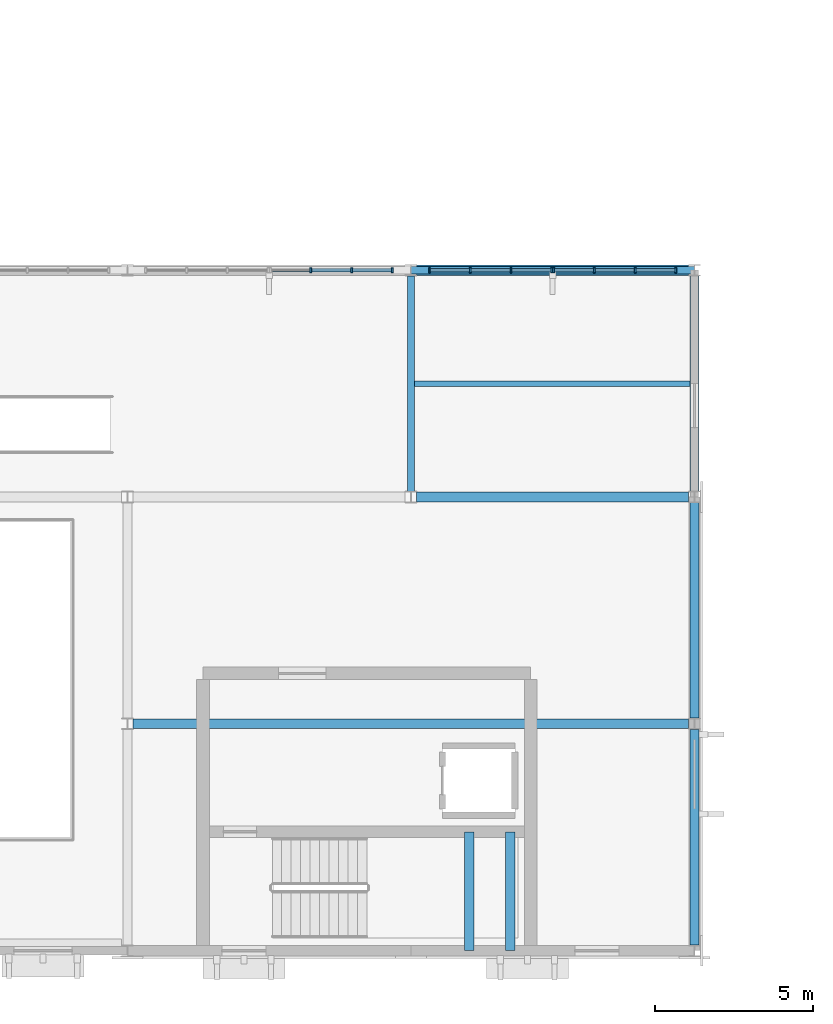
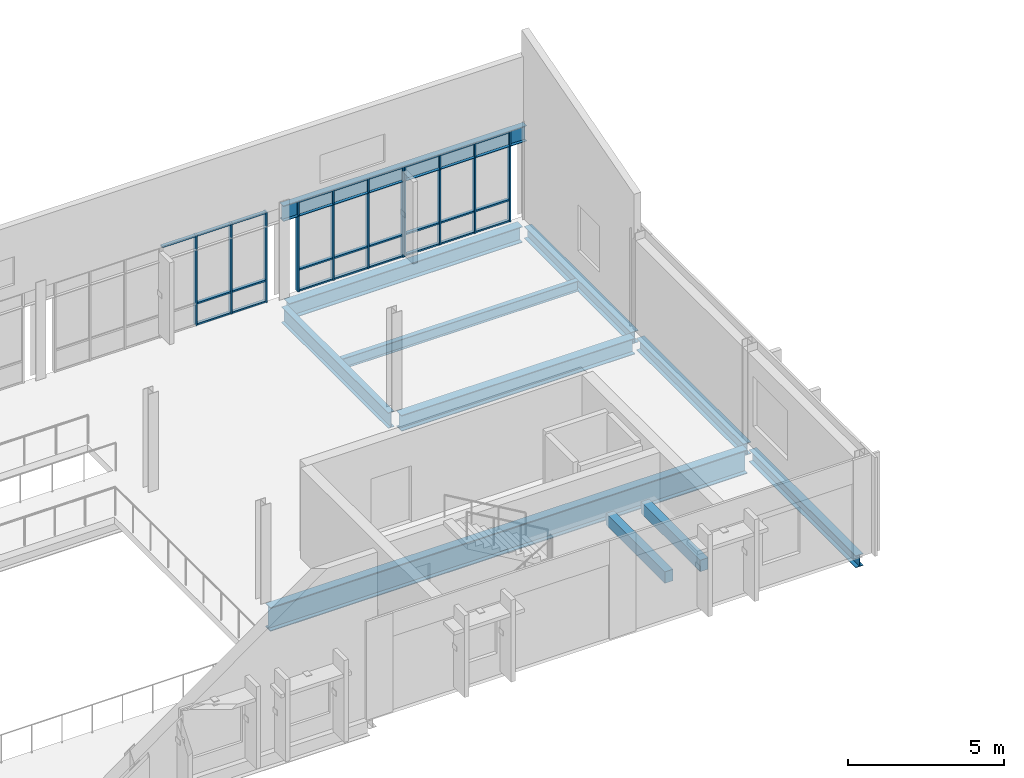
# One storey, part 21 of 85: 36 members, 11 beams, 3 elements without a shape of their own.
"""IFC4 building model written with IfcOpenShell, lengths in metres."""

from ifc_helpers import new_model, si_unit, direction, frame, origin, origin_2d, place, context, subcontext, project, spatial, rectangle, i_section, extrude, material, material_profile, profile_set, type_object, element, aggregate, save


model = new_model("IFC4")

# Units and contexts
model_context = context("Model", 3, precision=1e-05, world=origin(), true_north=direction((0.0, 1.0)))
body_context = subcontext(model_context, "Body", "Model", "MODEL_VIEW")
ifc_project = project(units=[si_unit("LENGTHUNIT", "METRE"), si_unit("AREAUNIT", "SQUARE_METRE"), si_unit("VOLUMEUNIT", "CUBIC_METRE"), si_unit("PLANEANGLEUNIT", "RADIAN"), si_unit("MASSUNIT", "GRAM", prefix="KILO")], contexts=[model_context])

# Site, building, storey
site_placement = place(None, origin())
site = spatial("IfcSite", under=ifc_project, at=site_placement, CompositionType="ELEMENT")
building_placement = place(site_placement, origin())
building = spatial("IfcBuilding", under=site, at=building_placement, Name="Vervanel Yard Central Library", CompositionType="ELEMENT")
storey_placement = place(building_placement, frame((0.0, 0.0, 5.10009765625)))
storey = spatial("IfcBuildingStorey", under=building, at=storey_placement, Name="L01", CompositionType="ELEMENT", Elevation=5.10009765625)

# Curtain wall, members
ifc_material_1 = material(Name="Thermally broken anodized aluminium 6063-T6", Category="aluminium")
curtain_wall_type = type_object("IfcCurtainWallType", Name="Children's Courtyard Curtain Wall", PredefinedType="NOTDEFINED", material=ifc_material_1)
curtain_wall_1_placement = place(storey_placement, origin())
curtain_wall_1 = element("IfcCurtainWall", 1, at=curtain_wall_1_placement, inside=storey, type_object=curtain_wall_type, Name="L01 Children's Courtyard Curtain Wall CWR-L01-173", PredefinedType="NOTDEFINED")
ifc_material_profile_1 = material_profile(ifc_material_1, rectangle(XDim=0.06005859375, YDim=0.159912109375, at=origin_2d()), Name="ALU 60x160", Category="aluminium")
ifc_profile_set_1 = profile_set([ifc_material_profile_1], Name="Thermally broken anodized aluminium 6063-T6")
member_type_1 = type_object("IfcMemberType", Name="Bridge & Courtyard Mullion 60x160", PredefinedType="MULLION", material=ifc_profile_set_1)
member_1_placement = place(storey_placement, frame((95.8232421875, 21.60009765625, 0.0), z_axis=(0.0, 0.0, 1.0), x_axis=(1.0, 0.0, 0.0)))
member_1 = element("IfcMember", 2, at=member_1_placement, type_object=member_type_1, Name="CWR-L01-173 Mullion 2", PredefinedType="MULLION", context=body_context, shape_type="SweptSolid", body=[
    extrude(rectangle(XDim=0.06005859375, YDim=0.159912109375, at=origin_2d()), origin(), (0.0, 0.0, 1.0), 3.52978515625),
])
member_2_placement = place(storey_placement, frame((97.11669921875, 21.60009765625, 0.0), z_axis=(0.0, 0.0, 1.0), x_axis=(1.0, 0.0, 0.0)))
member_2 = element("IfcMember", 3, at=member_2_placement, type_object=member_type_1, Name="CWR-L01-173 Mullion 3", PredefinedType="MULLION", context=body_context, shape_type="SweptSolid", body=[
    extrude(rectangle(XDim=0.06005859375, YDim=0.159912109375, at=origin_2d()), origin(), (0.0, 0.0, 1.0), 3.52978515625),
])
member_3_placement = place(storey_placement, frame((98.409912109375, 21.60009765625, 0.0), z_axis=(0.0, 0.0, 1.0), x_axis=(1.0, 0.0, 0.0)))
member_3 = element("IfcMember", 4, at=member_3_placement, type_object=member_type_1, Name="CWR-L01-173 Mullion 4", PredefinedType="MULLION", context=body_context, shape_type="SweptSolid", body=[
    extrude(rectangle(XDim=0.06005859375, YDim=0.159912109375, at=origin_2d()), origin(), (0.0, 0.0, 1.0), 3.52978515625),
])

curtain_wall_2_placement = place(storey_placement, origin())
curtain_wall_2 = element("IfcCurtainWall", 5, at=curtain_wall_2_placement, inside=storey, type_object=curtain_wall_type, Name="L01 Children's Courtyard Curtain Wall CWR-L01-174", PredefinedType="NOTDEFINED")
member_4_placement = place(storey_placement, frame((99.590087890625, 21.60009765625, 0.0), z_axis=(0.0, 0.0, 1.0), x_axis=(1.0, 0.0, 0.0)))
member_4 = element("IfcMember", 6, at=member_4_placement, type_object=member_type_1, Name="CWR-L01-174 Mullion 1", PredefinedType="MULLION", context=body_context, shape_type="SweptSolid", body=[
    extrude(rectangle(XDim=0.06005859375, YDim=0.159912109375, at=origin_2d()), origin(), (0.0, 0.0, 1.0), 3.52978515625),
])
member_5_placement = place(storey_placement, frame((100.88330078125, 21.60009765625, 0.0), z_axis=(0.0, 0.0, 1.0), x_axis=(1.0, 0.0, 0.0)))
member_5 = element("IfcMember", 7, at=member_5_placement, type_object=member_type_1, Name="CWR-L01-174 Mullion 2", PredefinedType="MULLION", context=body_context, shape_type="SweptSolid", body=[
    extrude(rectangle(XDim=0.06005859375, YDim=0.159912109375, at=origin_2d()), origin(), (0.0, 0.0, 1.0), 3.52978515625),
])
member_6_placement = place(storey_placement, frame((102.1767578125, 21.60009765625, 0.0), z_axis=(0.0, 0.0, 1.0), x_axis=(1.0, 0.0, 0.0)))
member_6 = element("IfcMember", 8, at=member_6_placement, type_object=member_type_1, Name="CWR-L01-174 Mullion 3", PredefinedType="MULLION", context=body_context, shape_type="SweptSolid", body=[
    extrude(rectangle(XDim=0.06005859375, YDim=0.159912109375, at=origin_2d()), origin(), (0.0, 0.0, 1.0), 3.52978515625),
])
member_7_placement = place(storey_placement, frame((103.469970703125, 21.60009765625, 0.0), z_axis=(0.0, 0.0, 1.0), x_axis=(1.0, 0.0, 0.0)))
member_7 = element("IfcMember", 9, at=member_7_placement, type_object=member_type_1, Name="CWR-L01-174 Mullion 4", PredefinedType="MULLION", context=body_context, shape_type="SweptSolid", body=[
    extrude(rectangle(XDim=0.06005859375, YDim=0.159912109375, at=origin_2d()), origin(), (0.0, 0.0, 1.0), 3.52978515625),
])

curtain_wall_3_placement = place(storey_placement, origin())
curtain_wall_3 = element("IfcCurtainWall", 10, at=curtain_wall_3_placement, inside=storey, type_object=curtain_wall_type, Name="L01 Children's Courtyard Curtain Wall CWR-L01-175", PredefinedType="NOTDEFINED")
member_8_placement = place(storey_placement, frame((103.530029296875, 21.60009765625, 0.0), z_axis=(0.0, 0.0, 1.0), x_axis=(1.0, 0.0, 0.0)))
member_8 = element("IfcMember", 11, at=member_8_placement, type_object=member_type_1, Name="CWR-L01-175 Mullion 1", PredefinedType="MULLION", context=body_context, shape_type="SweptSolid", body=[
    extrude(rectangle(XDim=0.06005859375, YDim=0.159912109375, at=origin_2d()), origin(), (0.0, 0.0, 1.0), 3.52978515625),
])
member_9_placement = place(storey_placement, frame((104.8232421875, 21.60009765625, 0.0), z_axis=(0.0, 0.0, 1.0), x_axis=(1.0, 0.0, 0.0)))
member_9 = element("IfcMember", 12, at=member_9_placement, type_object=member_type_1, Name="CWR-L01-175 Mullion 2", PredefinedType="MULLION", context=body_context, shape_type="SweptSolid", body=[
    extrude(rectangle(XDim=0.06005859375, YDim=0.159912109375, at=origin_2d()), origin(), (0.0, 0.0, 1.0), 3.52978515625),
])
member_10_placement = place(storey_placement, frame((106.11669921875, 21.60009765625, 0.0), z_axis=(0.0, 0.0, 1.0), x_axis=(1.0, 0.0, 0.0)))
member_10 = element("IfcMember", 13, at=member_10_placement, type_object=member_type_1, Name="CWR-L01-175 Mullion 3", PredefinedType="MULLION", context=body_context, shape_type="SweptSolid", body=[
    extrude(rectangle(XDim=0.06005859375, YDim=0.159912109375, at=origin_2d()), origin(), (0.0, 0.0, 1.0), 3.52978515625),
])
member_11_placement = place(storey_placement, frame((107.409912109375, 21.60009765625, 0.0), z_axis=(0.0, 0.0, 1.0), x_axis=(1.0, 0.0, 0.0)))
member_11 = element("IfcMember", 14, at=member_11_placement, type_object=member_type_1, Name="CWR-L01-175 Mullion 4", PredefinedType="MULLION", context=body_context, shape_type="SweptSolid", body=[
    extrude(rectangle(XDim=0.06005859375, YDim=0.159912109375, at=origin_2d()), origin(), (0.0, 0.0, 1.0), 3.52978515625),
])

# Member
ifc_material_profile_2 = material_profile(ifc_material_1, rectangle(XDim=0.06005859375, YDim=0.1201171875, at=origin_2d()), Name="ALU 60x120", Category="aluminium")
ifc_profile_set_2 = profile_set([ifc_material_profile_2], Name="Thermally broken anodized aluminium 6063-T6")
member_type_2 = type_object("IfcMemberType", Name="Bridge & Courtyard Transom 60x120", PredefinedType="NOTDEFINED", material=ifc_profile_set_2)
member_12_placement = place(storey_placement, frame((94.56005859375, 21.60009765625, 3.5), z_axis=(1.0, 0.0, 0.0), x_axis=(0.0, 0.0, 1.0)))
member_12 = element("IfcMember", 15, at=member_12_placement, type_object=member_type_2, Name="CWR-L01-173 Transom B1-T3", ObjectType="TRANSOM", PredefinedType="USERDEFINED", context=body_context, shape_type="SweptSolid", body=[
    extrude(rectangle(XDim=0.06005859375, YDim=0.1201171875, at=origin_2d()), origin(), (0.0, 0.0, 1.0), 1.233154296875),
])

member_13_placement = place(storey_placement, frame((95.853271484375, 21.60009765625, 0.02978515625), z_axis=(1.0, 0.0, 0.0), x_axis=(0.0, 0.0, 1.0)))
member_13 = element("IfcMember", 16, at=member_13_placement, type_object=member_type_2, Name="CWR-L01-173 Transom B2-T1", ObjectType="TRANSOM", PredefinedType="USERDEFINED", context=body_context, shape_type="SweptSolid", body=[
    extrude(rectangle(XDim=0.06005859375, YDim=0.1201171875, at=origin_2d()), origin(), (0.0, 0.0, 1.0), 1.2333984375),
])

member_14_placement = place(storey_placement, frame((95.853271484375, 21.60009765625, 0.849853515625), z_axis=(1.0, 0.0, 0.0), x_axis=(0.0, 0.0, 1.0)))
member_14 = element("IfcMember", 17, at=member_14_placement, type_object=member_type_2, Name="CWR-L01-173 Transom B2-T2", ObjectType="TRANSOM", PredefinedType="USERDEFINED", context=body_context, shape_type="SweptSolid", body=[
    extrude(rectangle(XDim=0.06005859375, YDim=0.1201171875, at=origin_2d()), origin(), (0.0, 0.0, 1.0), 1.2333984375),
])

member_15_placement = place(storey_placement, frame((95.853271484375, 21.60009765625, 3.5), z_axis=(1.0, 0.0, 0.0), x_axis=(0.0, 0.0, 1.0)))
member_15 = element("IfcMember", 18, at=member_15_placement, type_object=member_type_2, Name="CWR-L01-173 Transom B2-T3", ObjectType="TRANSOM", PredefinedType="USERDEFINED", context=body_context, shape_type="SweptSolid", body=[
    extrude(rectangle(XDim=0.06005859375, YDim=0.1201171875, at=origin_2d()), origin(), (0.0, 0.0, 1.0), 1.2333984375),
])

member_16_placement = place(storey_placement, frame((97.146728515625, 21.60009765625, 0.02978515625), z_axis=(1.0, 0.0, 0.0), x_axis=(0.0, 0.0, 1.0)))
member_16 = element("IfcMember", 19, at=member_16_placement, type_object=member_type_2, Name="CWR-L01-173 Transom B3-T1", ObjectType="TRANSOM", PredefinedType="USERDEFINED", context=body_context, shape_type="SweptSolid", body=[
    extrude(rectangle(XDim=0.06005859375, YDim=0.1201171875, at=origin_2d()), origin(), (0.0, 0.0, 1.0), 1.233154296875),
])

member_17_placement = place(storey_placement, frame((97.146728515625, 21.60009765625, 0.849853515625), z_axis=(1.0, 0.0, 0.0), x_axis=(0.0, 0.0, 1.0)))
member_17 = element("IfcMember", 20, at=member_17_placement, type_object=member_type_2, Name="CWR-L01-173 Transom B3-T2", ObjectType="TRANSOM", PredefinedType="USERDEFINED", context=body_context, shape_type="SweptSolid", body=[
    extrude(rectangle(XDim=0.06005859375, YDim=0.1201171875, at=origin_2d()), origin(), (0.0, 0.0, 1.0), 1.233154296875),
])

member_18_placement = place(storey_placement, frame((97.146728515625, 21.60009765625, 3.5), z_axis=(1.0, 0.0, 0.0), x_axis=(0.0, 0.0, 1.0)))
member_18 = element("IfcMember", 21, at=member_18_placement, type_object=member_type_2, Name="CWR-L01-173 Transom B3-T3", ObjectType="TRANSOM", PredefinedType="USERDEFINED", context=body_context, shape_type="SweptSolid", body=[
    extrude(rectangle(XDim=0.06005859375, YDim=0.1201171875, at=origin_2d()), origin(), (0.0, 0.0, 1.0), 1.233154296875),
])

aggregate(curtain_wall_1, [member_1, member_2, member_3, member_12, member_13, member_14, member_15, member_16, member_17, member_18])

member_19_placement = place(storey_placement, frame((99.6201171875, 21.60009765625, 0.02978515625), z_axis=(1.0, 0.0, 0.0), x_axis=(0.0, 0.0, 1.0)))
member_19 = element("IfcMember", 22, at=member_19_placement, type_object=member_type_2, Name="CWR-L01-174 Transom B1-T1", ObjectType="TRANSOM", PredefinedType="USERDEFINED", context=body_context, shape_type="SweptSolid", body=[
    extrude(rectangle(XDim=0.06005859375, YDim=0.1201171875, at=origin_2d()), origin(), (0.0, 0.0, 1.0), 1.233154296875),
])

member_20_placement = place(storey_placement, frame((99.6201171875, 21.60009765625, 0.849853515625), z_axis=(1.0, 0.0, 0.0), x_axis=(0.0, 0.0, 1.0)))
member_20 = element("IfcMember", 23, at=member_20_placement, type_object=member_type_2, Name="CWR-L01-174 Transom B1-T2", ObjectType="TRANSOM", PredefinedType="USERDEFINED", context=body_context, shape_type="SweptSolid", body=[
    extrude(rectangle(XDim=0.06005859375, YDim=0.1201171875, at=origin_2d()), origin(), (0.0, 0.0, 1.0), 1.233154296875),
])

member_21_placement = place(storey_placement, frame((99.6201171875, 21.60009765625, 3.5), z_axis=(1.0, 0.0, 0.0), x_axis=(0.0, 0.0, 1.0)))
member_21 = element("IfcMember", 24, at=member_21_placement, type_object=member_type_2, Name="CWR-L01-174 Transom B1-T3", ObjectType="TRANSOM", PredefinedType="USERDEFINED", context=body_context, shape_type="SweptSolid", body=[
    extrude(rectangle(XDim=0.06005859375, YDim=0.1201171875, at=origin_2d()), origin(), (0.0, 0.0, 1.0), 1.233154296875),
])

member_22_placement = place(storey_placement, frame((100.913330078125, 21.60009765625, 0.02978515625), z_axis=(1.0, 0.0, 0.0), x_axis=(0.0, 0.0, 1.0)))
member_22 = element("IfcMember", 25, at=member_22_placement, type_object=member_type_2, Name="CWR-L01-174 Transom B2-T1", ObjectType="TRANSOM", PredefinedType="USERDEFINED", context=body_context, shape_type="SweptSolid", body=[
    extrude(rectangle(XDim=0.06005859375, YDim=0.1201171875, at=origin_2d()), origin(), (0.0, 0.0, 1.0), 1.2333984375),
])

member_23_placement = place(storey_placement, frame((100.913330078125, 21.60009765625, 0.849853515625), z_axis=(1.0, 0.0, 0.0), x_axis=(0.0, 0.0, 1.0)))
member_23 = element("IfcMember", 26, at=member_23_placement, type_object=member_type_2, Name="CWR-L01-174 Transom B2-T2", ObjectType="TRANSOM", PredefinedType="USERDEFINED", context=body_context, shape_type="SweptSolid", body=[
    extrude(rectangle(XDim=0.06005859375, YDim=0.1201171875, at=origin_2d()), origin(), (0.0, 0.0, 1.0), 1.2333984375),
])

member_24_placement = place(storey_placement, frame((100.913330078125, 21.60009765625, 3.5), z_axis=(1.0, 0.0, 0.0), x_axis=(0.0, 0.0, 1.0)))
member_24 = element("IfcMember", 27, at=member_24_placement, type_object=member_type_2, Name="CWR-L01-174 Transom B2-T3", ObjectType="TRANSOM", PredefinedType="USERDEFINED", context=body_context, shape_type="SweptSolid", body=[
    extrude(rectangle(XDim=0.06005859375, YDim=0.1201171875, at=origin_2d()), origin(), (0.0, 0.0, 1.0), 1.2333984375),
])

member_25_placement = place(storey_placement, frame((102.206787109375, 21.60009765625, 0.02978515625), z_axis=(1.0, 0.0, 0.0), x_axis=(0.0, 0.0, 1.0)))
member_25 = element("IfcMember", 28, at=member_25_placement, type_object=member_type_2, Name="CWR-L01-174 Transom B3-T1", ObjectType="TRANSOM", PredefinedType="USERDEFINED", context=body_context, shape_type="SweptSolid", body=[
    extrude(rectangle(XDim=0.06005859375, YDim=0.1201171875, at=origin_2d()), origin(), (0.0, 0.0, 1.0), 1.233154296875),
])

member_26_placement = place(storey_placement, frame((102.206787109375, 21.60009765625, 0.849853515625), z_axis=(1.0, 0.0, 0.0), x_axis=(0.0, 0.0, 1.0)))
member_26 = element("IfcMember", 29, at=member_26_placement, type_object=member_type_2, Name="CWR-L01-174 Transom B3-T2", ObjectType="TRANSOM", PredefinedType="USERDEFINED", context=body_context, shape_type="SweptSolid", body=[
    extrude(rectangle(XDim=0.06005859375, YDim=0.1201171875, at=origin_2d()), origin(), (0.0, 0.0, 1.0), 1.233154296875),
])

member_27_placement = place(storey_placement, frame((102.206787109375, 21.60009765625, 3.5), z_axis=(1.0, 0.0, 0.0), x_axis=(0.0, 0.0, 1.0)))
member_27 = element("IfcMember", 30, at=member_27_placement, type_object=member_type_2, Name="CWR-L01-174 Transom B3-T3", ObjectType="TRANSOM", PredefinedType="USERDEFINED", context=body_context, shape_type="SweptSolid", body=[
    extrude(rectangle(XDim=0.06005859375, YDim=0.1201171875, at=origin_2d()), origin(), (0.0, 0.0, 1.0), 1.233154296875),
])

aggregate(curtain_wall_2, [member_4, member_5, member_6, member_7, member_19, member_20, member_21, member_22, member_23, member_24, member_25, member_26, member_27])

member_28_placement = place(storey_placement, frame((103.56005859375, 21.60009765625, 0.02978515625), z_axis=(1.0, 0.0, 0.0), x_axis=(0.0, 0.0, 1.0)))
member_28 = element("IfcMember", 31, at=member_28_placement, type_object=member_type_2, Name="CWR-L01-175 Transom B1-T1", ObjectType="TRANSOM", PredefinedType="USERDEFINED", context=body_context, shape_type="SweptSolid", body=[
    extrude(rectangle(XDim=0.06005859375, YDim=0.1201171875, at=origin_2d()), origin(), (0.0, 0.0, 1.0), 1.233154296875),
])

member_29_placement = place(storey_placement, frame((103.56005859375, 21.60009765625, 0.849853515625), z_axis=(1.0, 0.0, 0.0), x_axis=(0.0, 0.0, 1.0)))
member_29 = element("IfcMember", 32, at=member_29_placement, type_object=member_type_2, Name="CWR-L01-175 Transom B1-T2", ObjectType="TRANSOM", PredefinedType="USERDEFINED", context=body_context, shape_type="SweptSolid", body=[
    extrude(rectangle(XDim=0.06005859375, YDim=0.1201171875, at=origin_2d()), origin(), (0.0, 0.0, 1.0), 1.233154296875),
])

member_30_placement = place(storey_placement, frame((103.56005859375, 21.60009765625, 3.5), z_axis=(1.0, 0.0, 0.0), x_axis=(0.0, 0.0, 1.0)))
member_30 = element("IfcMember", 33, at=member_30_placement, type_object=member_type_2, Name="CWR-L01-175 Transom B1-T3", ObjectType="TRANSOM", PredefinedType="USERDEFINED", context=body_context, shape_type="SweptSolid", body=[
    extrude(rectangle(XDim=0.06005859375, YDim=0.1201171875, at=origin_2d()), origin(), (0.0, 0.0, 1.0), 1.233154296875),
])

member_31_placement = place(storey_placement, frame((104.853271484375, 21.60009765625, 0.02978515625), z_axis=(1.0, 0.0, 0.0), x_axis=(0.0, 0.0, 1.0)))
member_31 = element("IfcMember", 34, at=member_31_placement, type_object=member_type_2, Name="CWR-L01-175 Transom B2-T1", ObjectType="TRANSOM", PredefinedType="USERDEFINED", context=body_context, shape_type="SweptSolid", body=[
    extrude(rectangle(XDim=0.06005859375, YDim=0.1201171875, at=origin_2d()), origin(), (0.0, 0.0, 1.0), 1.2333984375),
])

member_32_placement = place(storey_placement, frame((104.853271484375, 21.60009765625, 0.849853515625), z_axis=(1.0, 0.0, 0.0), x_axis=(0.0, 0.0, 1.0)))
member_32 = element("IfcMember", 35, at=member_32_placement, type_object=member_type_2, Name="CWR-L01-175 Transom B2-T2", ObjectType="TRANSOM", PredefinedType="USERDEFINED", context=body_context, shape_type="SweptSolid", body=[
    extrude(rectangle(XDim=0.06005859375, YDim=0.1201171875, at=origin_2d()), origin(), (0.0, 0.0, 1.0), 1.2333984375),
])

member_33_placement = place(storey_placement, frame((104.853271484375, 21.60009765625, 3.5), z_axis=(1.0, 0.0, 0.0), x_axis=(0.0, 0.0, 1.0)))
member_33 = element("IfcMember", 36, at=member_33_placement, type_object=member_type_2, Name="CWR-L01-175 Transom B2-T3", ObjectType="TRANSOM", PredefinedType="USERDEFINED", context=body_context, shape_type="SweptSolid", body=[
    extrude(rectangle(XDim=0.06005859375, YDim=0.1201171875, at=origin_2d()), origin(), (0.0, 0.0, 1.0), 1.2333984375),
])

member_34_placement = place(storey_placement, frame((106.146728515625, 21.60009765625, 0.02978515625), z_axis=(1.0, 0.0, 0.0), x_axis=(0.0, 0.0, 1.0)))
member_34 = element("IfcMember", 37, at=member_34_placement, type_object=member_type_2, Name="CWR-L01-175 Transom B3-T1", ObjectType="TRANSOM", PredefinedType="USERDEFINED", context=body_context, shape_type="SweptSolid", body=[
    extrude(rectangle(XDim=0.06005859375, YDim=0.1201171875, at=origin_2d()), origin(), (0.0, 0.0, 1.0), 1.233154296875),
])

member_35_placement = place(storey_placement, frame((106.146728515625, 21.60009765625, 0.849853515625), z_axis=(1.0, 0.0, 0.0), x_axis=(0.0, 0.0, 1.0)))
member_35 = element("IfcMember", 38, at=member_35_placement, type_object=member_type_2, Name="CWR-L01-175 Transom B3-T2", ObjectType="TRANSOM", PredefinedType="USERDEFINED", context=body_context, shape_type="SweptSolid", body=[
    extrude(rectangle(XDim=0.06005859375, YDim=0.1201171875, at=origin_2d()), origin(), (0.0, 0.0, 1.0), 1.233154296875),
])

member_36_placement = place(storey_placement, frame((106.146728515625, 21.60009765625, 3.5), z_axis=(1.0, 0.0, 0.0), x_axis=(0.0, 0.0, 1.0)))
member_36 = element("IfcMember", 39, at=member_36_placement, type_object=member_type_2, Name="CWR-L01-175 Transom B3-T3", ObjectType="TRANSOM", PredefinedType="USERDEFINED", context=body_context, shape_type="SweptSolid", body=[
    extrude(rectangle(XDim=0.06005859375, YDim=0.1201171875, at=origin_2d()), origin(), (0.0, 0.0, 1.0), 1.233154296875),
])

aggregate(curtain_wall_3, [member_8, member_9, member_10, member_11, member_28, member_29, member_30, member_31, member_32, member_33, member_34, member_35, member_36])

# Beams
ifc_material_2 = material(Name="Concrete C40/50", Category="concrete")
ifc_material_profile_3 = material_profile(ifc_material_2, rectangle(XDim=0.300048828125, YDim=0.449951171875, at=origin_2d()), Name="RC 300x450", Category="concrete")
ifc_profile_set_3 = profile_set([ifc_material_profile_3], Name="Concrete C40/50")
beam_type_1 = type_object("IfcBeamType", Name="Concrete Opening Lintel 300x450", PredefinedType="LINTEL", material=ifc_profile_set_3)
for number, where, z_axis, x_axis, name in (
    (40, (100.85009765625, 0.0, 1.494873046875), (0.0, 1.0, 0.0), (-1.0, 0.0, 0.0), "L01 CORE-F Stair Landing Beam 43"),
    (41, (102.14990234375, 0.0, 1.494873046875), (0.0, 1.0, 0.0), (-1.0, 0.0, 0.0), "L01 CORE-F Stair Landing Beam 44"),
):
    element("IfcBeam", number, at=place(storey_placement, frame(where, z_axis=z_axis, x_axis=x_axis)), inside=storey, type_object=beam_type_1, Name=name, PredefinedType="LINTEL", context=body_context, shape_type="SweptSolid", body=[
        extrude(rectangle(XDim=0.300048828125, YDim=0.449951171875, at=origin_2d()), origin(), (0.0, 0.0, 1.0), 3.77490234375),
    ])
ifc_material_3 = material(Name="Steel ASTM A992 Grade 50", Category="steel")
ifc_material_profile_4 = material_profile(ifc_material_3, i_section(OverallWidth=0.309814453125, OverallDepth=0.93212890625, WebThickness=0.02099609375, FlangeThickness=0.034423828125, at=origin_2d()), Name="W36X210", Category="steel")
ifc_profile_set_4 = profile_set([ifc_material_profile_4], Name="Steel ASTM A992 Grade 50")
beam_type_2 = type_object("IfcBeamType", Name="Steel Auditorium Tie Girder W36X210", PredefinedType="BEAM", material=ifc_profile_set_4)
beam_1_placement = place(storey_placement, frame((90.18408203125, 7.199951171875, -0.736083984375), z_axis=(1.0, 0.0, 0.0), x_axis=(0.0, 1.0, 0.0)))
element("IfcBeam", 42, at=beam_1_placement, inside=storey, type_object=beam_type_2, Name="L01 Girder SB-06 Y=7.2 X=90.0-108.0", PredefinedType="BEAM", context=body_context, shape_type="SweptSolid", body=[
    extrude(i_section(OverallWidth=0.309814453125, OverallDepth=0.93212890625, WebThickness=0.02099609375, FlangeThickness=0.034423828125, at=origin_2d()), origin(), (0.0, 0.0, 1.0), 17.6318359375),
])
ifc_material_profile_5 = material_profile(ifc_material_3, i_section(OverallWidth=0.32763671875, OverallDepth=0.622314453125, WebThickness=0.015380859375, FlangeThickness=0.0244140625, at=origin_2d()), Name="W24X131", Category="steel")
ifc_profile_set_5 = profile_set([ifc_material_profile_5], Name="Steel ASTM A992 Grade 50")
beam_type_3 = type_object("IfcBeamType", Name="Steel Primary Girder W24X131", PredefinedType="BEAM", material=ifc_profile_set_5)
for number, where, z_axis, x_axis, name in (
    (43, (99.18408203125, 14.39990234375, -0.581298828125), (1.0, 0.0, 0.0), (0.0, 1.0, 0.0), "L01 Girder SB-02 Y=14.4 X=99.0-108.0"),
    (44, (99.18408203125, 21.60009765625, -0.581298828125), (1.0, 0.0, 0.0), (0.0, 1.0, 0.0), "L01 Girder SB-02 Y=21.6 X=99.0-108.0"),
):
    element("IfcBeam", number, at=place(storey_placement, frame(where, z_axis=z_axis, x_axis=x_axis)), inside=storey, type_object=beam_type_3, Name=name, PredefinedType="BEAM", context=body_context, shape_type="SweptSolid", body=[
        extrude(i_section(OverallWidth=0.32763671875, OverallDepth=0.622314453125, WebThickness=0.015380859375, FlangeThickness=0.0244140625, at=origin_2d()), origin(), (0.0, 0.0, 1.0), 8.6318359375),
    ])
ifc_material_profile_6 = material_profile(ifc_material_3, i_section(OverallWidth=0.22900390625, OverallDepth=0.612060546875, WebThickness=0.011962890625, FlangeThickness=0.01953125, at=origin_2d()), Name="W24X84", Category="steel")
ifc_profile_set_6 = profile_set([ifc_material_profile_6], Name="Steel ASTM A992 Grade 50")
beam_type_4 = type_object("IfcBeamType", Name="Steel Primary Girder W24X84", PredefinedType="BEAM", material=ifc_profile_set_6)
beam_2_placement = place(storey_placement, frame((99.0, 14.577880859375, -0.576171875), z_axis=(0.0, 1.0, 0.0), x_axis=(-1.0, 0.0, 0.0)))
element("IfcBeam", 45, at=beam_2_placement, inside=storey, type_object=beam_type_4, Name="L01 Girder SB-01 X=99.0 Y=14.4-21.6", PredefinedType="BEAM", context=body_context, shape_type="SweptSolid", body=[
    extrude(i_section(OverallWidth=0.22900390625, OverallDepth=0.612060546875, WebThickness=0.011962890625, FlangeThickness=0.01953125, at=origin_2d()), origin(), (0.0, 0.0, 1.0), 6.84423828125),
])
beam_3_placement = place(storey_placement, frame((99.0, 21.60009765625, 3.27978515625), z_axis=(1.0, 0.0, 0.0), x_axis=(0.0, 1.0, 0.0)))
element("IfcBeam", 46, at=beam_3_placement, inside=storey, type_object=beam_type_4, Name="L01 V5 North Clerestory Carrier Girder 99-108", PredefinedType="BEAM", context=body_context, shape_type="SweptSolid", body=[
    extrude(i_section(OverallWidth=0.22900390625, OverallDepth=0.612060546875, WebThickness=0.011962890625, FlangeThickness=0.01953125, at=origin_2d()), origin(), (0.0, 0.0, 1.0), 9.0),
])
ifc_material_profile_7 = material_profile(ifc_material_3, i_section(OverallWidth=0.1787109375, OverallDepth=0.408935546875, WebThickness=0.0087890625, FlangeThickness=0.014404296875, at=origin_2d()), Name="W16X45", Category="steel")
ifc_profile_set_7 = profile_set([ifc_material_profile_7], Name="Steel ASTM A992 Grade 50")
beam_type_5 = type_object("IfcBeamType", Name="Steel Secondary Joist W16X45", PredefinedType="JOIST", material=ifc_profile_set_7)
beam_4_placement = place(storey_placement, frame((99.114501953125, 18.0, -0.474609375), z_axis=(1.0, 0.0, 0.0), x_axis=(0.0, 1.0, 0.0)))
element("IfcBeam", 47, at=beam_4_placement, inside=storey, type_object=beam_type_5, Name="L01 Floor Joist SJ-01 Y=18.00 X=99.0-108.0", PredefinedType="JOIST", context=body_context, shape_type="SweptSolid", body=[
    extrude(i_section(OverallWidth=0.1787109375, OverallDepth=0.408935546875, WebThickness=0.0087890625, FlangeThickness=0.014404296875, at=origin_2d()), origin(), (0.0, 0.0, 1.0), 8.744384765625),
])
ifc_material_profile_8 = material_profile(ifc_material_3, i_section(OverallWidth=0.281982421875, OverallDepth=0.46728515625, WebThickness=0.01220703125, FlangeThickness=0.01953125, at=origin_2d()), Name="W18X86", Category="steel")
ifc_profile_set_8 = profile_set([ifc_material_profile_8], Name="Steel ASTM A992 Grade 50")
beam_type_6 = type_object("IfcBeamType", Name="Steel Spandrel Beam W18X86", PredefinedType="SPANDREL", material=ifc_profile_set_8)
for number, where, z_axis, x_axis, name in (
    (48, (108.0, 0.177734375, -0.503662109375), (0.0, 1.0, 0.0), (-1.0, 0.0, 0.0), "L01 Girder SP-02 X=108.0 Y=0.0-7.2"),
    (49, (108.0, 7.377685546875, -0.503662109375), (0.0, 1.0, 0.0), (-1.0, 0.0, 0.0), "L01 Girder SP-02 X=108.0 Y=7.2-14.4"),
):
    element("IfcBeam", number, at=place(storey_placement, frame(where, z_axis=z_axis, x_axis=x_axis)), inside=storey, type_object=beam_type_6, Name=name, PredefinedType="SPANDREL", context=body_context, shape_type="SweptSolid", body=[
        extrude(i_section(OverallWidth=0.281982421875, OverallDepth=0.46728515625, WebThickness=0.01220703125, FlangeThickness=0.01953125, at=origin_2d()), origin(), (0.0, 0.0, 1.0), 6.844482421875),
    ])
beam_5_placement = place(storey_placement, frame((108.0, 14.577880859375, -0.503662109375), z_axis=(0.0, 1.0, 0.0), x_axis=(-1.0, 0.0, 0.0)))
element("IfcBeam", 50, at=beam_5_placement, inside=storey, type_object=beam_type_6, Name="L01 Girder SP-02 X=108.0 Y=14.4-21.6", PredefinedType="SPANDREL", context=body_context, shape_type="SweptSolid", body=[
    extrude(i_section(OverallWidth=0.281982421875, OverallDepth=0.46728515625, WebThickness=0.01220703125, FlangeThickness=0.01953125, at=origin_2d()), origin(), (0.0, 0.0, 1.0), 6.84423828125),
])

save(model, "model.ifc")
